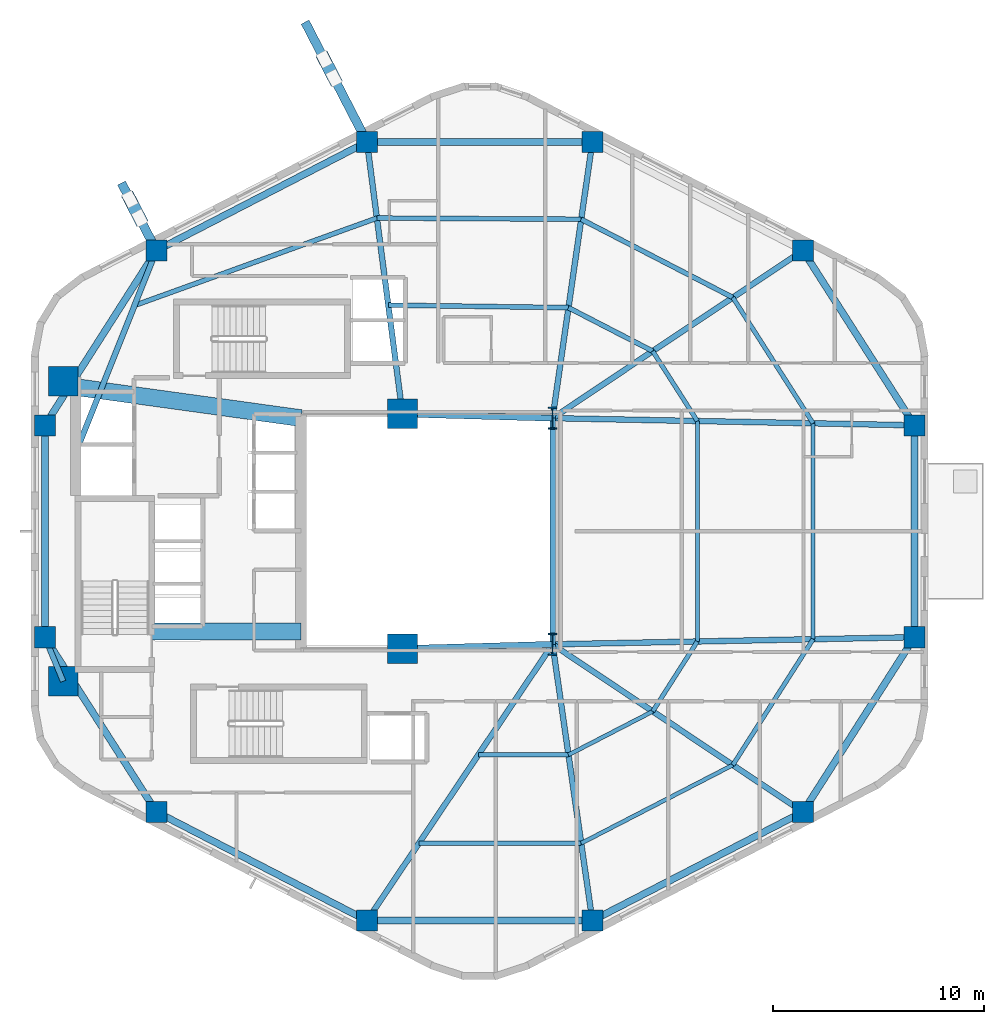
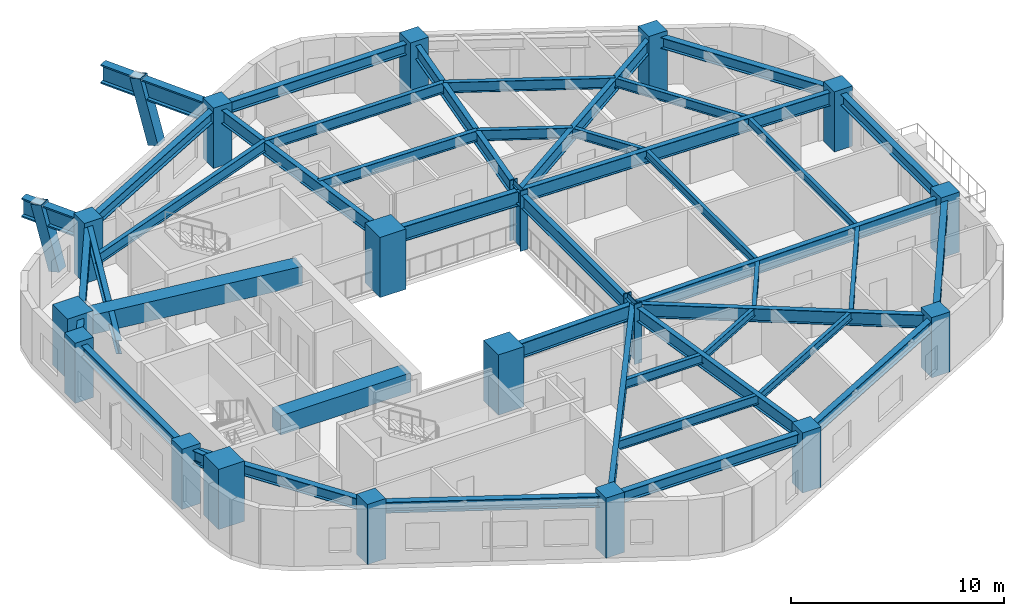
# One storey, part 1 of 8: 43 beams, 18 columns, 2 members.
"""IFC4 building model written with IfcOpenShell, lengths in metres."""

from ifc_helpers import new_model, si_unit, direction, frame, origin, origin_2d, place, context, subcontext, project, spatial, rectangle, hollow_rectangle, i_section, extrude, material, material_profile, profile_set, type_object, element, save


model = new_model("IFC4")

# Units and contexts
model_context = context("Model", 3, precision=1e-05, world=origin(), true_north=direction((0.0, 1.0)))
body_context = subcontext(model_context, "Body", "Model", "MODEL_VIEW")
ifc_project = project(units=[si_unit("LENGTHUNIT", "METRE"), si_unit("AREAUNIT", "SQUARE_METRE"), si_unit("VOLUMEUNIT", "CUBIC_METRE"), si_unit("PLANEANGLEUNIT", "RADIAN"), si_unit("MASSUNIT", "GRAM", prefix="KILO"), si_unit("THERMODYNAMICTEMPERATUREUNIT", "KELVIN"), si_unit("POWERUNIT", "WATT")], contexts=[model_context])

# Site, building, storey
site_placement = place(None, origin())
site = spatial("IfcSite", under=ifc_project, at=site_placement, CompositionType="ELEMENT")
building_placement = place(site_placement, origin())
building = spatial("IfcBuilding", under=site, at=building_placement, Name="Skarre Station Tower", CompositionType="ELEMENT")
storey_placement = place(building_placement, frame((0.0, 0.0, 125.699951171875)))
storey = spatial("IfcBuildingStorey", under=building, at=storey_placement, Name="L33", CompositionType="ELEMENT", Elevation=125.699951171875)

# Columns
ifc_material_1 = material(Name="Concrete C60/75", Category="concrete")
ifc_material_profile_1 = material_profile(ifc_material_1, rectangle(XDim=1.0, YDim=1.0, at=origin_2d()), Name="Concrete C60/75")
ifc_profile_set_1 = profile_set([ifc_material_profile_1], Name="Concrete C60/75")
column_type_1 = type_object("IfcColumnType", Name="RC Structural Column RC-COL-1000X1000", PredefinedType="COLUMN", material=ifc_profile_set_1)
for number, where, z_axis, x_axis, name in (
    (1, (51.291015625, 37.277099609375, 0.0), (0.0, 0.0, 1.0), (1.0, 0.0, 0.0), "L33 Zone 2 Perimeter Column F0C1"),
    (2, (41.3310546875, 42.41796875, 0.0), (0.0, 0.0, 1.0), (1.0, 0.0, 0.0), "L33 Zone 2 Perimeter Column F0C2"),
    (3, (30.6689453125, 42.41796875, 0.0), (0.0, 0.0, 1.0), (1.0, 0.0, 0.0), "L33 Zone 2 Perimeter Column F1C1"),
    (4, (20.708984375, 37.277099609375, 0.0), (0.0, 0.0, 1.0), (1.0, 0.0, 0.0), "L33 Zone 2 Perimeter Column F1C2"),
    (5, (15.431884765625, 29.010986328125, 0.0), (0.0, 0.0, 1.0), (1.0, 0.0, 0.0), "L33 Zone 2 Perimeter Column F2C1"),
    (6, (15.431884765625, 18.989013671875, 0.0), (0.0, 0.0, 1.0), (1.0, 0.0, 0.0), "L33 Zone 2 Perimeter Column F2C2"),
    (7, (20.708984375, 10.722900390625, 0.0), (0.0, 0.0, 1.0), (1.0, 0.0, 0.0), "L33 Zone 2 Perimeter Column F3C1"),
    (8, (30.6689453125, 5.58203125, 0.0), (0.0, 0.0, 1.0), (1.0, 0.0, 0.0), "L33 Zone 2 Perimeter Column F3C2"),
    (9, (41.3310546875, 5.58203125, 0.0), (0.0, 0.0, 1.0), (1.0, 0.0, 0.0), "L33 Zone 2 Perimeter Column F4C1"),
    (10, (51.291015625, 10.722900390625, 0.0), (0.0, 0.0, 1.0), (1.0, 0.0, 0.0), "L33 Zone 2 Perimeter Column F4C2"),
    (11, (56.568115234375, 18.989013671875, 0.0), (0.0, 0.0, 1.0), (1.0, 0.0, 0.0), "L33 Zone 2 Perimeter Column F5C1"),
    (12, (56.568115234375, 29.010986328125, 0.0), (0.0, 0.0, 1.0), (1.0, 0.0, 0.0), "L33 Zone 2 Perimeter Column F5C2"),
):
    element("IfcColumn", number, at=place(storey_placement, frame(where, z_axis=z_axis, x_axis=x_axis)), inside=storey, type_object=column_type_1, Name=name, PredefinedType="COLUMN", context=body_context, shape_type="SweptSolid", body=[
        extrude(rectangle(XDim=1.0, YDim=1.0, at=origin_2d()), origin(), (0.0, 0.0, 1.0), 3.449951171875),
    ])
ifc_material_2 = material(Name="Concrete C70/85", Category="concrete")
ifc_material_profile_2 = material_profile(ifc_material_2, rectangle(XDim=1.39990234375, YDim=1.39990234375, at=origin_2d()), Name="Concrete C70/85")
ifc_profile_set_2 = profile_set([ifc_material_profile_2], Name="Concrete C70/85")
column_type_2 = type_object("IfcColumnType", Name="RC Structural Column RC-COL-1400X1400", PredefinedType="COLUMN", material=ifc_profile_set_2)
for number, where, z_axis, x_axis, name in (
    (13, (16.300048828125, 16.89990234375, 0.0), (0.0, 0.0, 1.0), (1.0, 0.0, 0.0), "L33 Core Column CC-SW"),
    (14, (16.300048828125, 31.10009765625, 0.0), (0.0, 0.0, 1.0), (1.0, 0.0, 0.0), "L33 Core Column CC-NW"),
    (15, (32.35009765625, 18.449951171875, 0.0), (0.0, 0.0, 1.0), (1.0, 0.0, 0.0), "L33 Core Column CC-SE"),
    (16, (32.35009765625, 29.550048828125, 0.0), (0.0, 0.0, 1.0), (1.0, 0.0, 0.0), "L33 Core Column CC-NE"),
):
    element("IfcColumn", number, at=place(storey_placement, frame(where, z_axis=z_axis, x_axis=x_axis)), inside=storey, type_object=column_type_2, Name=name, PredefinedType="COLUMN", context=body_context, shape_type="SweptSolid", body=[
        extrude(rectangle(XDim=1.39990234375, YDim=1.39990234375, at=origin_2d()), origin(), (0.0, 0.0, 1.0), 3.449951171875),
    ])
ifc_material_3 = material(Name="Steel ASTM A913 Grade 65", Category="steel")
ifc_material_profile_3 = material_profile(ifc_material_3, i_section(OverallWidth=0.409912109375, OverallDepth=1.041015625, WebThickness=0.031005859375, FlangeThickness=0.055908203125, at=origin_2d()), Name="Steel ASTM A913 Grade 65")
ifc_profile_set_3 = profile_set([ifc_material_profile_3], Name="Steel ASTM A913 Grade 65")
column_type_3 = type_object("IfcColumnType", Name="Steel Column W40X397", PredefinedType="COLUMN", material=ifc_profile_set_3)
for number, where, z_axis, x_axis, name in (
    (17, (39.449951171875, 18.64990234375, 0.0), (0.0, 0.0, 1.0), (1.0, 0.0, 0.0), "L33 Atrium Spine Column AC-SE"),
    (18, (39.449951171875, 29.35009765625, 0.0), (0.0, 0.0, 1.0), (1.0, 0.0, 0.0), "L33 Atrium Spine Column AC-NE"),
):
    element("IfcColumn", number, at=place(storey_placement, frame(where, z_axis=z_axis, x_axis=x_axis)), inside=storey, type_object=column_type_3, Name=name, PredefinedType="COLUMN", context=body_context, shape_type="SweptSolid", body=[
        extrude(i_section(OverallWidth=0.409912109375, OverallDepth=1.041015625, WebThickness=0.031005859375, FlangeThickness=0.055908203125, at=origin_2d()), origin(), (0.0, 0.0, 1.0), 3.449951171875),
    ])

# Beams
ifc_material_profile_4 = material_profile(ifc_material_2, rectangle(XDim=0.800048828125, YDim=1.10009765625, at=origin_2d()), Name="Concrete C70/85")
ifc_profile_set_4 = profile_set([ifc_material_profile_4], Name="Concrete C70/85")
beam_type_1 = type_object("IfcBeamType", Name="RC Core Coupling Lintel 800x1100", PredefinedType="LINTEL", material=ifc_profile_set_4)
beam_1_placement = place(storey_placement, frame((20.489990234375, 19.260009765625, 2.64013671875), z_axis=(1.0, 0.0, 0.0), x_axis=(0.0, 1.0, 0.0)))
element("IfcBeam", 19, at=beam_1_placement, inside=storey, type_object=beam_type_1, Name="L33 South Core Coupling Lintel", PredefinedType="LINTEL", context=body_context, shape_type="SweptSolid", body=[
    extrude(rectangle(XDim=0.800048828125, YDim=1.10009765625, at=origin_2d()), origin(), (0.0, 0.0, 1.0), 7.06005859375),
])
beam_2_placement = place(storey_placement, frame((17.050048828125, 30.800048828125, 2.64013671875), z_axis=(0.990599723633, -0.136792498109, 0.0), x_axis=(0.136792498109, 0.990599723633, 0.0)))
element("IfcBeam", 20, at=beam_2_placement, inside=storey, type_object=beam_type_1, Name="L33 North Core Coupling Lintel", PredefinedType="LINTEL", context=body_context, shape_type="SweptSolid", body=[
    extrude(rectangle(XDim=0.800048828125, YDim=1.10009765625, at=origin_2d()), origin(), (0.0, 0.0, 1.0), 10.599609375),
])
ifc_material_4 = material(Name="Steel ASTM A992 Grade 50", Category="steel")
ifc_material_profile_5 = material_profile(ifc_material_4, i_section(OverallWidth=0.26806640625, OverallDepth=0.77001953125, WebThickness=0.01611328125, FlangeThickness=0.02490234375, at=origin_2d()), Name="Steel ASTM A992 Grade 50")
ifc_profile_set_5 = profile_set([ifc_material_profile_5], Name="Steel ASTM A992 Grade 50")
beam_type_2 = type_object("IfcBeamType", Name="Steel Beam W30X132", PredefinedType="BEAM", material=ifc_profile_set_5)
beam_3_placement = place(storey_placement, frame((39.449951171875, 18.64990234375, 2.804931640625), z_axis=(0.0, 1.0, 0.0), x_axis=(-1.0, 0.0, 0.0)))
element("IfcBeam", 21, at=beam_3_placement, inside=storey, type_object=beam_type_2, Name="L33 Atrium East Edge Girder", PredefinedType="BEAM", context=body_context, shape_type="SweptSolid", body=[
    extrude(i_section(OverallWidth=0.26806640625, OverallDepth=0.77001953125, WebThickness=0.01611328125, FlangeThickness=0.02490234375, at=origin_2d()), origin(), (0.0, 0.0, 1.0), 10.7001953125),
])
beam_4_placement = place(storey_placement, frame((39.449951171875, 29.35009765625, 2.804931640625), z_axis=(0.830981218317, 0.556300471692, 0.0), x_axis=(-0.556300471692, 0.830981218317, 0.0)))
element("IfcBeam", 22, at=beam_4_placement, inside=storey, type_object=beam_type_2, Name="L33 Radial Floor Girder F0C1", PredefinedType="BEAM", context=body_context, shape_type="SweptSolid", body=[
    extrude(i_section(OverallWidth=0.26806640625, OverallDepth=0.77001953125, WebThickness=0.01611328125, FlangeThickness=0.02490234375, at=origin_2d()), origin(), (0.0, 0.0, 1.0), 14.24951171875),
])
beam_5_placement = place(storey_placement, frame((39.449951171875, 29.35009765625, 2.804931640625), z_axis=(0.142480121776, 0.989797663616, 0.0), x_axis=(-0.989797663616, 0.142480121776, 0.0)))
element("IfcBeam", 23, at=beam_5_placement, inside=storey, type_object=beam_type_2, Name="L33 Radial Floor Girder F0C2", PredefinedType="BEAM", context=body_context, shape_type="SweptSolid", body=[
    extrude(i_section(OverallWidth=0.26806640625, OverallDepth=0.77001953125, WebThickness=0.01611328125, FlangeThickness=0.02490234375, at=origin_2d()), origin(), (0.0, 0.0, 1.0), 13.20263671875),
])
beam_6_placement = place(storey_placement, frame((32.35009765625, 29.550048828125, 2.804931640625), z_axis=(-0.129545878778, 0.991573429097, 0.0), x_axis=(-0.991573429097, -0.129545878778, 0.0)))
element("IfcBeam", 24, at=beam_6_placement, inside=storey, type_object=beam_type_2, Name="L33 Radial Floor Girder F1C1", PredefinedType="BEAM", context=body_context, shape_type="SweptSolid", body=[
    extrude(i_section(OverallWidth=0.26806640625, OverallDepth=0.77001953125, WebThickness=0.01611328125, FlangeThickness=0.02490234375, at=origin_2d()), origin(), (0.0, 0.0, 1.0), 12.977294921875),
])
beam_7_placement = place(storey_placement, frame((17.010009765625, 28.0, 2.804931640625), z_axis=(0.370366288946, 0.928885790618, 0.0), x_axis=(-0.928885790618, 0.370366288946, 0.0)))
element("IfcBeam", 25, at=beam_7_placement, inside=storey, type_object=beam_type_2, Name="L33 Radial Floor Girder F1C2", PredefinedType="BEAM", context=body_context, shape_type="SweptSolid", body=[
    extrude(i_section(OverallWidth=0.26806640625, OverallDepth=0.77001953125, WebThickness=0.01611328125, FlangeThickness=0.02490234375, at=origin_2d()), origin(), (0.0, 0.0, 1.0), 9.9873046875),
])
beam_8_placement = place(storey_placement, frame((16.300048828125, 16.89990234375, 2.804931640625), z_axis=(-0.383749333092, 0.923437301256, 0.0), x_axis=(-0.923437301256, -0.383749333092, 0.0)))
element("IfcBeam", 26, at=beam_8_placement, inside=storey, type_object=beam_type_2, Name="L33 Radial Floor Girder F2C2", PredefinedType="BEAM", context=body_context, shape_type="SweptSolid", body=[
    extrude(i_section(OverallWidth=0.26806640625, OverallDepth=0.77001953125, WebThickness=0.01611328125, FlangeThickness=0.02490234375, at=origin_2d()), origin(), (0.0, 0.0, 1.0), 2.26220703125),
])
beam_9_placement = place(storey_placement, frame((39.449951171875, 18.64990234375, 2.804931640625), z_axis=(-0.55773464691, -0.830019315219, 0.0), x_axis=(0.830019315219, -0.55773464691, 0.0)))
element("IfcBeam", 27, at=beam_9_placement, inside=storey, type_object=beam_type_2, Name="L33 Radial Floor Girder F3C2", PredefinedType="BEAM", context=body_context, shape_type="SweptSolid", body=[
    extrude(i_section(OverallWidth=0.26806640625, OverallDepth=0.77001953125, WebThickness=0.01611328125, FlangeThickness=0.02490234375, at=origin_2d()), origin(), (0.0, 0.0, 1.0), 15.744140625),
])
beam_10_placement = place(storey_placement, frame((39.449951171875, 18.64990234375, 2.804931640625), z_axis=(0.142480121776, -0.989797663616, 0.0), x_axis=(0.989797663616, 0.142480121776, 0.0)))
element("IfcBeam", 28, at=beam_10_placement, inside=storey, type_object=beam_type_2, Name="L33 Radial Floor Girder F4C1", PredefinedType="BEAM", context=body_context, shape_type="SweptSolid", body=[
    extrude(i_section(OverallWidth=0.26806640625, OverallDepth=0.77001953125, WebThickness=0.01611328125, FlangeThickness=0.02490234375, at=origin_2d()), origin(), (0.0, 0.0, 1.0), 13.20263671875),
])
beam_11_placement = place(storey_placement, frame((39.449951171875, 18.64990234375, 2.804931640625), z_axis=(0.830981218317, -0.556300471692, 0.0), x_axis=(0.556300471692, 0.830981218317, 0.0)))
element("IfcBeam", 29, at=beam_11_placement, inside=storey, type_object=beam_type_2, Name="L33 Radial Floor Girder F4C2", PredefinedType="BEAM", context=body_context, shape_type="SweptSolid", body=[
    extrude(i_section(OverallWidth=0.26806640625, OverallDepth=0.77001953125, WebThickness=0.01611328125, FlangeThickness=0.02490234375, at=origin_2d()), origin(), (0.0, 0.0, 1.0), 14.24951171875),
])
for number, where, z_axis, x_axis, name in (
    (30, (39.449951171875, 18.64990234375, 2.804931640625), (0.999803839107, 0.019806143142, 0.0), (-0.019806143142, 0.999803839107, 0.0), "L33 Radial Floor Girder F5C1"),
    (31, (39.449951171875, 29.35009765625, 2.804931640625), (0.999803839107, -0.019806143142, 0.0), (0.019806143142, 0.999803839107, 0.0), "L33 Radial Floor Girder F5C2"),
):
    element("IfcBeam", number, at=place(storey_placement, frame(where, z_axis=z_axis, x_axis=x_axis)), inside=storey, type_object=beam_type_2, Name=name, PredefinedType="BEAM", context=body_context, shape_type="SweptSolid", body=[
        extrude(i_section(OverallWidth=0.26806640625, OverallDepth=0.77001953125, WebThickness=0.01611328125, FlangeThickness=0.02490234375, at=origin_2d()), origin(), (0.0, 0.0, 1.0), 17.12158203125),
    ])
ifc_material_profile_6 = material_profile(ifc_material_4, i_section(OverallWidth=0.2919921875, OverallDepth=0.85888671875, WebThickness=0.01708984375, FlangeThickness=0.031005859375, at=origin_2d()), Name="Steel ASTM A992 Grade 50")
ifc_profile_set_6 = profile_set([ifc_material_profile_6], Name="Steel ASTM A992 Grade 50")
beam_type_3 = type_object("IfcBeamType", Name="Steel Beam W33X169", PredefinedType="BEAM", material=ifc_profile_set_6)
for number, where, z_axis, x_axis, name in (
    (32, (32.35009765625, 18.449951171875, 2.760009765625), (0.999603666405, 0.028151556095, 0.0), (-0.028151556095, 0.999603666405, 0.0), "L33 Atrium South Edge Girder"),
    (33, (32.35009765625, 29.550048828125, 2.760009765625), (0.999603666405, -0.028151556095, 0.0), (0.028151556095, 0.999603666405, 0.0), "L33 Atrium North Edge Girder"),
):
    element("IfcBeam", number, at=place(storey_placement, frame(where, z_axis=z_axis, x_axis=x_axis)), inside=storey, type_object=beam_type_3, Name=name, PredefinedType="BEAM", context=body_context, shape_type="SweptSolid", body=[
        extrude(i_section(OverallWidth=0.2919921875, OverallDepth=0.85888671875, WebThickness=0.01708984375, FlangeThickness=0.031005859375, at=origin_2d()), origin(), (0.0, 0.0, 1.0), 7.102783203125),
    ])
ifc_material_profile_7 = material_profile(ifc_material_4, i_section(OverallWidth=0.19091796875, OverallDepth=0.45703125, WebThickness=0.009033203125, FlangeThickness=0.013916015625, at=origin_2d()), Name="Steel ASTM A992 Grade 50")
ifc_profile_set_7 = profile_set([ifc_material_profile_7], Name="Steel ASTM A992 Grade 50")
beam_type_4 = type_object("IfcBeamType", Name="Steel Joist W18X50", PredefinedType="JOIST", material=ifc_profile_set_7)
beam_12_placement = place(storey_placement, frame((40.201904296875, 13.423095703125, 2.9609375), z_axis=(0.888658598325, 0.458569401097, 0.0), x_axis=(-0.458569401097, 0.888658598325, 0.0)))
element("IfcBeam", 34, at=beam_12_placement, inside=storey, type_object=beam_type_4, Name="L33 Auxiliary Composite Joist 9", PredefinedType="JOIST", context=body_context, shape_type="SweptSolid", body=[
    extrude(i_section(OverallWidth=0.19091796875, OverallDepth=0.45703125, WebThickness=0.009033203125, FlangeThickness=0.013916015625, at=origin_2d()), origin(), (0.0, 0.0, 1.0), 4.4833984375),
])
beam_13_placement = place(storey_placement, frame((40.803955078125, 9.240966796875, 2.9609375), z_axis=(0.888599977053, 0.458682985057, 0.0), x_axis=(-0.458682985057, 0.888599977053, 0.0)))
element("IfcBeam", 35, at=beam_13_placement, inside=storey, type_object=beam_type_4, Name="L33 Auxiliary Composite Joist 10", PredefinedType="JOIST", context=body_context, shape_type="SweptSolid", body=[
    extrude(i_section(OverallWidth=0.19091796875, OverallDepth=0.45703125, WebThickness=0.009033203125, FlangeThickness=0.013916015625, at=origin_2d()), origin(), (0.0, 0.0, 1.0), 8.0712890625),
])
beam_14_placement = place(storey_placement, frame((46.297119140625, 18.785888671875, 2.9609375), z_axis=(0.0, 1.0, 0.0), x_axis=(-1.0, 0.0, 0.0)))
element("IfcBeam", 36, at=beam_14_placement, inside=storey, type_object=beam_type_4, Name="L33 Auxiliary Composite Joist 13", PredefinedType="JOIST", context=body_context, shape_type="SweptSolid", body=[
    extrude(i_section(OverallWidth=0.19091796875, OverallDepth=0.45703125, WebThickness=0.009033203125, FlangeThickness=0.013916015625, at=origin_2d()), origin(), (0.0, 0.0, 1.0), 10.42822265625),
])
beam_15_placement = place(storey_placement, frame((51.77490234375, 18.89404296875, 2.9609375), z_axis=(0.0, 1.0, 0.0), x_axis=(-1.0, 0.0, 0.0)))
element("IfcBeam", 37, at=beam_15_placement, inside=storey, type_object=beam_type_4, Name="L33 Auxiliary Composite Joist 14", PredefinedType="JOIST", context=body_context, shape_type="SweptSolid", body=[
    extrude(i_section(OverallWidth=0.19091796875, OverallDepth=0.45703125, WebThickness=0.009033203125, FlangeThickness=0.013916015625, at=origin_2d()), origin(), (0.0, 0.0, 1.0), 10.2119140625),
])
ifc_material_profile_8 = material_profile(ifc_material_4, i_section(OverallWidth=0.208984375, OverallDepth=0.532958984375, WebThickness=0.010009765625, FlangeThickness=0.01611328125, at=origin_2d()), Name="Steel ASTM A992 Grade 50")
ifc_profile_set_8 = profile_set([ifc_material_profile_8], Name="Steel ASTM A992 Grade 50")
beam_type_5 = type_object("IfcBeamType", Name="Steel Joist W21X62", PredefinedType="JOIST", material=ifc_profile_set_8)
beam_16_placement = place(storey_placement, frame((35.93798828125, 13.423095703125, 2.923095703125), z_axis=(1.0, 0.0, 0.0), x_axis=(0.0, 1.0, 0.0)))
element("IfcBeam", 38, at=beam_16_placement, inside=storey, type_object=beam_type_5, Name="L33 Auxiliary Composite Joist 7", PredefinedType="JOIST", context=body_context, shape_type="SweptSolid", body=[
    extrude(i_section(OverallWidth=0.208984375, OverallDepth=0.532958984375, WebThickness=0.010009765625, FlangeThickness=0.01611328125, at=origin_2d()), origin(), (0.0, 0.0, 1.0), 4.263916015625),
])
beam_17_placement = place(storey_placement, frame((33.1279296875, 9.240966796875, 2.923095703125), z_axis=(1.0, 0.0, 0.0), x_axis=(0.0, 1.0, 0.0)))
element("IfcBeam", 39, at=beam_17_placement, inside=storey, type_object=beam_type_5, Name="L33 Auxiliary Composite Joist 8", PredefinedType="JOIST", context=body_context, shape_type="SweptSolid", body=[
    extrude(i_section(OverallWidth=0.208984375, OverallDepth=0.532958984375, WebThickness=0.010009765625, FlangeThickness=0.01611328125, at=origin_2d()), origin(), (0.0, 0.0, 1.0), 7.676025390625),
])
beam_18_placement = place(storey_placement, frame((44.18603515625, 15.47900390625, 2.923095703125), z_axis=(0.538090955129, 0.842886780065, 0.0), x_axis=(-0.842886780065, 0.538090955129, 0.0)))
element("IfcBeam", 40, at=beam_18_placement, inside=storey, type_object=beam_type_5, Name="L33 Auxiliary Composite Joist 11", PredefinedType="JOIST", context=body_context, shape_type="SweptSolid", body=[
    extrude(i_section(OverallWidth=0.208984375, OverallDepth=0.532958984375, WebThickness=0.010009765625, FlangeThickness=0.01611328125, at=origin_2d()), origin(), (0.0, 0.0, 1.0), 3.92333984375),
])
beam_19_placement = place(storey_placement, frame((47.97607421875, 12.943115234375, 2.923095703125), z_axis=(0.538072046089, 0.842898851119, 0.0), x_axis=(-0.842898851119, 0.538072046089, 0.0)))
element("IfcBeam", 41, at=beam_19_placement, inside=storey, type_object=beam_type_5, Name="L33 Auxiliary Composite Joist 12", PredefinedType="JOIST", context=body_context, shape_type="SweptSolid", body=[
    extrude(i_section(OverallWidth=0.208984375, OverallDepth=0.532958984375, WebThickness=0.010009765625, FlangeThickness=0.01611328125, at=origin_2d()), origin(), (0.0, 0.0, 1.0), 7.06005859375),
])
beam_20_placement = place(storey_placement, frame((46.297119140625, 29.214111328125, 2.923095703125), z_axis=(-0.538090955129, 0.842886780065, 0.0), x_axis=(-0.842886780065, -0.538090955129, 0.0)))
element("IfcBeam", 42, at=beam_20_placement, inside=storey, type_object=beam_type_5, Name="L33 Auxiliary Composite Joist 15", PredefinedType="JOIST", context=body_context, shape_type="SweptSolid", body=[
    extrude(i_section(OverallWidth=0.208984375, OverallDepth=0.532958984375, WebThickness=0.010009765625, FlangeThickness=0.01611328125, at=origin_2d()), origin(), (0.0, 0.0, 1.0), 3.92333984375),
])
beam_21_placement = place(storey_placement, frame((51.77490234375, 29.10595703125, 2.923095703125), z_axis=(-0.538072046089, 0.842898851119, 0.0), x_axis=(-0.842898851119, -0.538072046089, 0.0)))
element("IfcBeam", 43, at=beam_21_placement, inside=storey, type_object=beam_type_5, Name="L33 Auxiliary Composite Joist 16", PredefinedType="JOIST", context=body_context, shape_type="SweptSolid", body=[
    extrude(i_section(OverallWidth=0.208984375, OverallDepth=0.532958984375, WebThickness=0.010009765625, FlangeThickness=0.01611328125, at=origin_2d()), origin(), (0.0, 0.0, 1.0), 7.06005859375),
])
ifc_material_profile_9 = material_profile(ifc_material_4, i_section(OverallWidth=0.22802734375, OverallDepth=0.60791015625, WebThickness=0.010986328125, FlangeThickness=0.01708984375, at=origin_2d()), Name="Steel ASTM A992 Grade 50")
ifc_profile_set_9 = profile_set([ifc_material_profile_9], Name="Steel ASTM A992 Grade 50")
beam_type_6 = type_object("IfcBeamType", Name="Steel Joist W24X76", PredefinedType="JOIST", material=ifc_profile_set_9)
beam_22_placement = place(storey_placement, frame((44.18603515625, 32.52099609375, 2.885986328125), z_axis=(-0.888658598325, 0.458569401097, 0.0), x_axis=(-0.458569401097, -0.888658598325, 0.0)))
element("IfcBeam", 44, at=beam_22_placement, inside=storey, type_object=beam_type_6, Name="L33 Secondary Floor Joist 1", PredefinedType="JOIST", context=body_context, shape_type="SweptSolid", body=[
    extrude(i_section(OverallWidth=0.22802734375, OverallDepth=0.60791015625, WebThickness=0.010986328125, FlangeThickness=0.01708984375, at=origin_2d()), origin(), (0.0, 0.0, 1.0), 4.4833984375),
])
beam_23_placement = place(storey_placement, frame((47.97607421875, 35.056884765625, 2.885986328125), z_axis=(-0.888599977053, 0.458682985057, 0.0), x_axis=(-0.458682985057, -0.888599977053, 0.0)))
element("IfcBeam", 45, at=beam_23_placement, inside=storey, type_object=beam_type_6, Name="L33 Secondary Floor Joist 2", PredefinedType="JOIST", context=body_context, shape_type="SweptSolid", body=[
    extrude(i_section(OverallWidth=0.22802734375, OverallDepth=0.60791015625, WebThickness=0.010986328125, FlangeThickness=0.01708984375, at=origin_2d()), origin(), (0.0, 0.0, 1.0), 8.0712890625),
])
beam_24_placement = place(storey_placement, frame((40.201904296875, 34.576904296875, 2.885986328125), z_axis=(-0.999900725817, 0.014090369396, 0.0), x_axis=(-0.014090369396, -0.999900725817, 0.0)))
element("IfcBeam", 46, at=beam_24_placement, inside=storey, type_object=beam_type_6, Name="L33 Secondary Floor Joist 3", PredefinedType="JOIST", context=body_context, shape_type="SweptSolid", body=[
    extrude(i_section(OverallWidth=0.22802734375, OverallDepth=0.60791015625, WebThickness=0.010986328125, FlangeThickness=0.01708984375, at=origin_2d()), origin(), (0.0, 0.0, 1.0), 8.524658203125),
])
beam_25_placement = place(storey_placement, frame((40.803955078125, 38.759033203125, 2.885986328125), z_axis=(-0.999983266349, 0.005785068917, 0.0), x_axis=(-0.005785068917, -0.999983266349, 0.0)))
element("IfcBeam", 47, at=beam_25_placement, inside=storey, type_object=beam_type_6, Name="L33 Secondary Floor Joist 4", PredefinedType="JOIST", context=body_context, shape_type="SweptSolid", body=[
    extrude(i_section(OverallWidth=0.22802734375, OverallDepth=0.60791015625, WebThickness=0.010986328125, FlangeThickness=0.01708984375, at=origin_2d()), origin(), (0.0, 0.0, 1.0), 9.664306640625),
])
beam_26_placement = place(storey_placement, frame((31.139892578125, 38.81494140625, 2.885986328125), z_axis=(-0.940679663546, -0.339295992594, 0.0), x_axis=(0.339295992594, -0.940679663546, 0.0)))
element("IfcBeam", 48, at=beam_26_placement, inside=storey, type_object=beam_type_6, Name="L33 Secondary Floor Joist 6", PredefinedType="JOIST", context=body_context, shape_type="SweptSolid", body=[
    extrude(i_section(OverallWidth=0.22802734375, OverallDepth=0.60791015625, WebThickness=0.010986328125, FlangeThickness=0.01708984375, at=origin_2d()), origin(), (0.0, 0.0, 1.0), 12.18994140625),
])
ifc_material_profile_10 = material_profile(ifc_material_4, i_section(OverallWidth=0.327880859375, OverallDepth=0.6279296875, WebThickness=0.01708984375, FlangeThickness=0.028076171875, at=origin_2d()), Name="Steel ASTM A992 Grade 50")
ifc_profile_set_10 = profile_set([ifc_material_profile_10], Name="Steel ASTM A992 Grade 50")
beam_type_7 = type_object("IfcBeamType", Name="Steel Spandrel W24X146", PredefinedType="SPANDREL", material=ifc_profile_set_10)
beam_27_placement = place(storey_placement, frame((41.3310546875, 42.41796875, 2.8759765625), z_axis=(-1.0, 0.0, 0.0), x_axis=(0.0, -1.0, 0.0)))
element("IfcBeam", 49, at=beam_27_placement, inside=storey, type_object=beam_type_7, Name="L33 Facet Spandrel Beam 2", PredefinedType="SPANDREL", context=body_context, shape_type="SweptSolid", body=[
    extrude(i_section(OverallWidth=0.327880859375, OverallDepth=0.6279296875, WebThickness=0.01708984375, FlangeThickness=0.028076171875, at=origin_2d()), origin(), (0.0, 0.0, 1.0), 10.662109375),
])
beam_28_placement = place(storey_placement, frame((30.6689453125, 42.41796875, 2.8759765625), z_axis=(-0.888611779493, -0.458660119639, 0.0), x_axis=(0.458660119639, -0.888611779493, 0.0)))
element("IfcBeam", 50, at=beam_28_placement, inside=storey, type_object=beam_type_7, Name="L33 Facet Spandrel Beam 3", PredefinedType="SPANDREL", context=body_context, shape_type="SweptSolid", body=[
    extrude(i_section(OverallWidth=0.327880859375, OverallDepth=0.6279296875, WebThickness=0.01708984375, FlangeThickness=0.028076171875, at=origin_2d()), origin(), (0.0, 0.0, 1.0), 11.20849609375),
])
beam_29_placement = place(storey_placement, frame((20.708984375, 37.277099609375, 2.8759765625), z_axis=(-0.538097547923, -0.842882571251, 0.0), x_axis=(0.842882571251, -0.538097547923, 0.0)))
element("IfcBeam", 51, at=beam_29_placement, inside=storey, type_object=beam_type_7, Name="L33 Facet Spandrel Beam 4", PredefinedType="SPANDREL", context=body_context, shape_type="SweptSolid", body=[
    extrude(i_section(OverallWidth=0.327880859375, OverallDepth=0.6279296875, WebThickness=0.01708984375, FlangeThickness=0.028076171875, at=origin_2d()), origin(), (0.0, 0.0, 1.0), 9.806884765625),
])
beam_30_placement = place(storey_placement, frame((15.431884765625, 29.010986328125, 2.8759765625), z_axis=(0.0, -1.0, 0.0), x_axis=(1.0, 0.0, 0.0)))
element("IfcBeam", 52, at=beam_30_placement, inside=storey, type_object=beam_type_7, Name="L33 Facet Spandrel Beam 5", PredefinedType="SPANDREL", context=body_context, shape_type="SweptSolid", body=[
    extrude(i_section(OverallWidth=0.327880859375, OverallDepth=0.6279296875, WebThickness=0.01708984375, FlangeThickness=0.028076171875, at=origin_2d()), origin(), (0.0, 0.0, 1.0), 10.02197265625),
])
beam_31_placement = place(storey_placement, frame((15.431884765625, 18.989013671875, 2.8759765625), z_axis=(0.538097547923, -0.842882571251, 0.0), x_axis=(0.842882571251, 0.538097547923, 0.0)))
element("IfcBeam", 53, at=beam_31_placement, inside=storey, type_object=beam_type_7, Name="L33 Facet Spandrel Beam 6", PredefinedType="SPANDREL", context=body_context, shape_type="SweptSolid", body=[
    extrude(i_section(OverallWidth=0.327880859375, OverallDepth=0.6279296875, WebThickness=0.01708984375, FlangeThickness=0.028076171875, at=origin_2d()), origin(), (0.0, 0.0, 1.0), 9.806884765625),
])
beam_32_placement = place(storey_placement, frame((20.708984375, 10.722900390625, 2.8759765625), z_axis=(0.888611779493, -0.458660119639, 0.0), x_axis=(0.458660119639, 0.888611779493, 0.0)))
element("IfcBeam", 54, at=beam_32_placement, inside=storey, type_object=beam_type_7, Name="L33 Facet Spandrel Beam 7", PredefinedType="SPANDREL", context=body_context, shape_type="SweptSolid", body=[
    extrude(i_section(OverallWidth=0.327880859375, OverallDepth=0.6279296875, WebThickness=0.01708984375, FlangeThickness=0.028076171875, at=origin_2d()), origin(), (0.0, 0.0, 1.0), 11.20849609375),
])
beam_33_placement = place(storey_placement, frame((30.6689453125, 5.58203125, 2.8759765625), z_axis=(1.0, 0.0, 0.0), x_axis=(0.0, 1.0, 0.0)))
element("IfcBeam", 55, at=beam_33_placement, inside=storey, type_object=beam_type_7, Name="L33 Facet Spandrel Beam 8", PredefinedType="SPANDREL", context=body_context, shape_type="SweptSolid", body=[
    extrude(i_section(OverallWidth=0.327880859375, OverallDepth=0.6279296875, WebThickness=0.01708984375, FlangeThickness=0.028076171875, at=origin_2d()), origin(), (0.0, 0.0, 1.0), 10.662109375),
])
beam_34_placement = place(storey_placement, frame((41.3310546875, 5.58203125, 2.8759765625), z_axis=(0.888611779493, 0.458660119639, 0.0), x_axis=(-0.458660119639, 0.888611779493, 0.0)))
element("IfcBeam", 56, at=beam_34_placement, inside=storey, type_object=beam_type_7, Name="L33 Facet Spandrel Beam 9", PredefinedType="SPANDREL", context=body_context, shape_type="SweptSolid", body=[
    extrude(i_section(OverallWidth=0.327880859375, OverallDepth=0.6279296875, WebThickness=0.01708984375, FlangeThickness=0.028076171875, at=origin_2d()), origin(), (0.0, 0.0, 1.0), 11.20849609375),
])
beam_35_placement = place(storey_placement, frame((51.291015625, 10.722900390625, 2.8759765625), z_axis=(0.538097547923, 0.842882571251, 0.0), x_axis=(-0.842882571251, 0.538097547923, 0.0)))
element("IfcBeam", 57, at=beam_35_placement, inside=storey, type_object=beam_type_7, Name="L33 Facet Spandrel Beam 10", PredefinedType="SPANDREL", context=body_context, shape_type="SweptSolid", body=[
    extrude(i_section(OverallWidth=0.327880859375, OverallDepth=0.6279296875, WebThickness=0.01708984375, FlangeThickness=0.028076171875, at=origin_2d()), origin(), (0.0, 0.0, 1.0), 9.806884765625),
])
beam_36_placement = place(storey_placement, frame((56.568115234375, 18.989013671875, 2.8759765625), z_axis=(0.0, 1.0, 0.0), x_axis=(-1.0, 0.0, 0.0)))
element("IfcBeam", 58, at=beam_36_placement, inside=storey, type_object=beam_type_7, Name="L33 Facet Spandrel Beam 11", PredefinedType="SPANDREL", context=body_context, shape_type="SweptSolid", body=[
    extrude(i_section(OverallWidth=0.327880859375, OverallDepth=0.6279296875, WebThickness=0.01708984375, FlangeThickness=0.028076171875, at=origin_2d()), origin(), (0.0, 0.0, 1.0), 10.02197265625),
])
beam_37_placement = place(storey_placement, frame((56.568115234375, 29.010986328125, 2.8759765625), z_axis=(-0.538097547923, 0.842882571251, 0.0), x_axis=(-0.842882571251, -0.538097547923, 0.0)))
element("IfcBeam", 59, at=beam_37_placement, inside=storey, type_object=beam_type_7, Name="L33 Facet Spandrel Beam 12", PredefinedType="SPANDREL", context=body_context, shape_type="SweptSolid", body=[
    extrude(i_section(OverallWidth=0.327880859375, OverallDepth=0.6279296875, WebThickness=0.01708984375, FlangeThickness=0.028076171875, at=origin_2d()), origin(), (0.0, 0.0, 1.0), 9.806884765625),
])
ifc_material_profile_11 = material_profile(ifc_material_3, i_section(OverallWidth=0.424072265625, OverallDepth=1.092041015625, WebThickness=0.044921875, FlangeThickness=0.08203125, at=origin_2d()), Name="Steel ASTM A913 Grade 65")
ifc_profile_set_11 = profile_set([ifc_material_profile_11], Name="Steel ASTM A913 Grade 65")
beam_type_8 = type_object("IfcBeamType", Name="Steel Transfer Girder W40X593", PredefinedType="USERDEFINED", material=ifc_profile_set_11)
beam_38_placement = place(storey_placement, frame((30.6689453125, 42.41796875, 2.64404296875), z_axis=(-0.458657541913, 0.88861310999, 0.0), x_axis=(-0.88861310999, -0.458657541913, 0.0)))
element("IfcBeam", 60, at=beam_38_placement, inside=storey, type_object=beam_type_8, Name="L33 SB-3 Exoskeleton Tier-1 Transfer Girder S1", ObjectType="TRANSFER_GIRDER", PredefinedType="USERDEFINED", context=body_context, shape_type="SweptSolid", body=[
    extrude(i_section(OverallWidth=0.424072265625, OverallDepth=1.092041015625, WebThickness=0.044921875, FlangeThickness=0.08203125, at=origin_2d()), origin(), (0.0, 0.0, 1.0), 6.379638671875),
])
beam_39_placement = place(storey_placement, frame((20.708984375, 37.277099609375, 2.64404296875), z_axis=(-0.458598003145, 0.888643838392, 0.0), x_axis=(-0.888643838392, -0.458598003145, 0.0)))
element("IfcBeam", 61, at=beam_39_placement, inside=storey, type_object=beam_type_8, Name="L33 SB-3 Exoskeleton Tier-1 Transfer Girder S2", ObjectType="TRANSFER_GIRDER", PredefinedType="USERDEFINED", context=body_context, shape_type="SweptSolid", body=[
    extrude(i_section(OverallWidth=0.424072265625, OverallDepth=1.092041015625, WebThickness=0.044921875, FlangeThickness=0.08203125, at=origin_2d()), origin(), (0.0, 0.0, 1.0), 3.599853515625),
])

# Members
ifc_material_5 = material(Name="Steel ASTM A501 Grade B", Category="steel")
ifc_material_profile_12 = material_profile(ifc_material_5, hollow_rectangle(XDim=0.60009765625, YDim=0.60009765625, WallThickness=0.028076171875, at=origin_2d()), Name="Steel ASTM A501 Grade B")
ifc_profile_set_12 = profile_set([ifc_material_profile_12], Name="Steel ASTM A501 Grade B")
member_type = type_object("IfcMemberType", Name="Steel Truss Strut HSS600X600X28", PredefinedType="STRUT", material=ifc_profile_set_12)
for number, where, z_axis, x_axis, name in (
    (62, (29.110107421875, 45.43896484375, -0.280029296875), (-0.127162998227, 0.246145920545, 0.960854701649), (-0.888444149471, -0.458984741872, 0.0), "L33 SB-3 Exoskeleton Raking Strut Tier 1 S1"),
    (63, (19.916015625, 38.81396484375, -0.280029296875), (-0.127096486621, 0.246148036057, 0.960862959757), (-0.888543643112, -0.458792103557, 0.0), "L33 SB-3 Exoskeleton Raking Strut Tier 1 S2"),
):
    element("IfcMember", number, at=place(storey_placement, frame(where, z_axis=z_axis, x_axis=x_axis)), inside=storey, type_object=member_type, Name=name, PredefinedType="STRUT", context=body_context, shape_type="SweptSolid", body=[
        extrude(hollow_rectangle(XDim=0.60009765625, YDim=0.60009765625, WallThickness=0.028076171875, at=origin_2d()), origin(), (0.0, 0.0, 1.0), 3.611328125),
    ])

save(model, "model.ifc")
